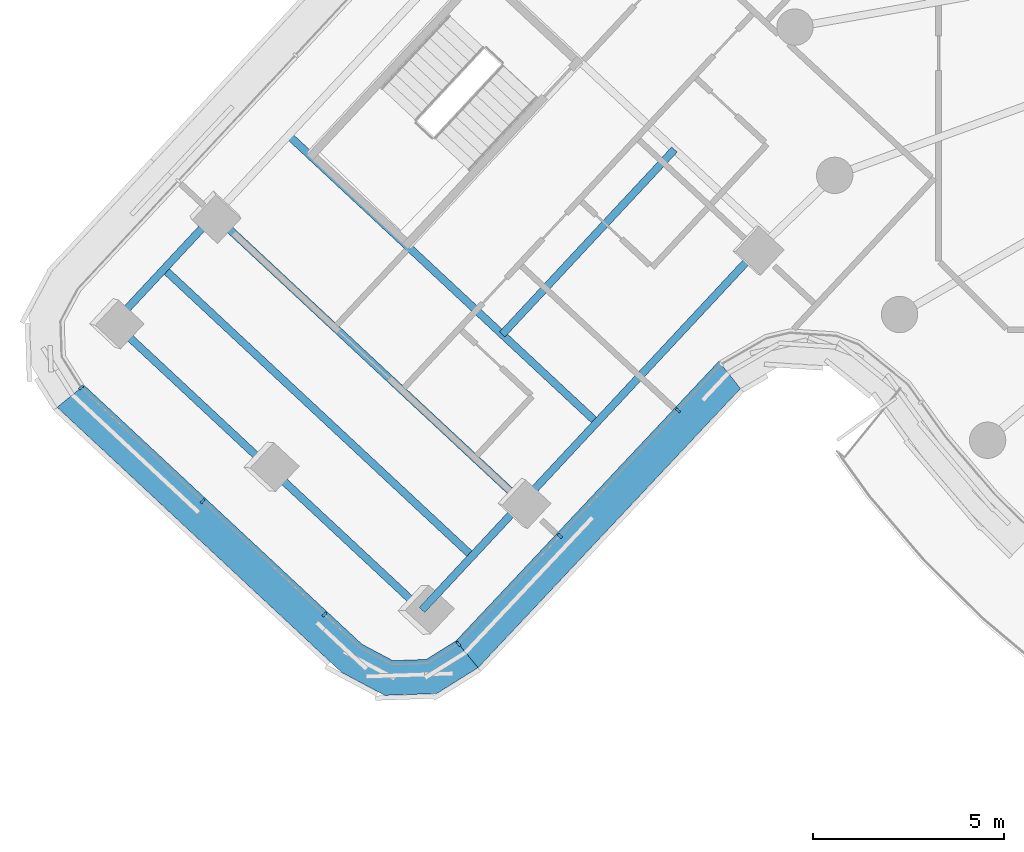
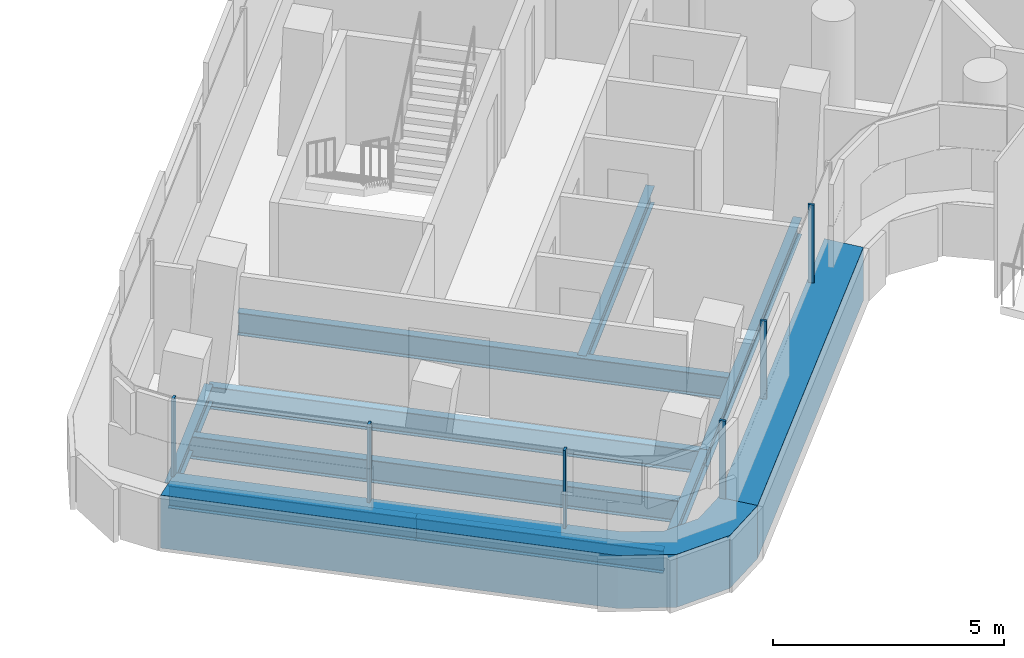
# One storey, part 2 of 30: 9 beams, 8 members, 2 elements without a shape of their own.
"""IFC4 building model written with IfcOpenShell, lengths in metres."""

import ifcopenshell
import ifcopenshell.guid

model = None  # the IFC model being written
_history = None  # IfcOwnerHistory: only IFC2X3 demands one
_inside = {}  # id of a spatial element -> (the spatial element, [elements in it])
_under = {}  # id of a project, library or spatial element -> (it, [spatial elements below it])
_declared = {}  # id of a project -> (the project, [libraries it declares])
_typed = {}  # id of a type object -> (the type object, [elements of that type])
_made_of = {}  # id of a material, layer set ... -> (it, [elements and type objects made of it])


def new_model(schema):
    """Start an empty IFC model of exactly this schema.

    Asked for "IFC4X3", IfcOpenShell would pick the latest addendum, in which some entities
    have other attributes; the version numbers below select the first issue.
    IFC2X3 requires an IfcOwnerHistory on every rooted entity: one is made here for all.
    """
    global model, _history
    if schema == "IFC4X3":
        model = ifcopenshell.file(schema_version=(4, 3, 0, 0))
    else:
        model = ifcopenshell.file(schema=schema)
    _inside.clear()
    _under.clear()
    _declared.clear()
    _typed.clear()
    _made_of.clear()
    _history = None
    if model.schema == "IFC2X3":
        org = make("IfcOrganization", Name="unknown")
        user = make(
            "IfcPersonAndOrganization",
            ThePerson=make("IfcPerson", FamilyName="unknown"),
            TheOrganization=org,
        )
        app = make(
            "IfcApplication",
            ApplicationDeveloper=org,
            Version="unknown",
            ApplicationFullName="unknown",
            ApplicationIdentifier="unknown",
        )
        _history = make(
            "IfcOwnerHistory",
            OwningUser=user,
            OwningApplication=app,
            ChangeAction="ADDED",
            CreationDate=0,
        )
    return model


def make(cls, **values):
    """One entity of the class cls with the attributes given. An attribute that is None is left unset."""
    return model.create_entity(
        cls, **{name: value for name, value in values.items() if value is not None}
    )


def rooted(cls, **values):
    """An entity with a GlobalId (a new one), such as an element, a storey or a relation."""
    return make(cls, GlobalId=ifcopenshell.guid.new(), OwnerHistory=_history, **values)


def si_unit(unit_type, name, prefix=None):
    """IfcSIUnit, for example si_unit("LENGTHUNIT", "METRE", prefix="MILLI")."""
    return make("IfcSIUnit", UnitType=unit_type, Prefix=prefix, Name=name)


def assignment(units):
    """IfcUnitAssignment: the units of a project."""
    return None if units is None else make("IfcUnitAssignment", Units=units)


def point(xyz):
    """IfcCartesianPoint."""
    return None if xyz is None else make("IfcCartesianPoint", Coordinates=xyz)


def direction(xyz):
    """IfcDirection."""
    return None if xyz is None else make("IfcDirection", DirectionRatios=xyz)


def frame(location, z_axis=None, x_axis=None):
    """IfcAxis2Placement3D, a coordinate frame: its origin and axes. An axis left out is left unset."""
    return make(
        "IfcAxis2Placement3D",
        Location=point(location),
        Axis=direction(z_axis),
        RefDirection=direction(x_axis),
    )


def frame_2d(location, x_axis=None):
    """IfcAxis2Placement2D, a coordinate frame in the plane: its origin and x axis."""
    return make(
        "IfcAxis2Placement2D", Location=point(location), RefDirection=direction(x_axis)
    )


def origin():
    """The frame at (0, 0, 0) with its axes left unset."""
    return frame((0.0, 0.0, 0.0))


def origin_2d():
    """The frame at (0, 0) in the plane with its x axis left unset."""
    return frame_2d((0.0, 0.0))


def place(relative_to, where):
    """IfcLocalPlacement: puts the frame where relative to a parent placement (None: the world)."""
    return make(
        "IfcLocalPlacement", PlacementRelTo=relative_to, RelativePlacement=where
    )


def context(
    kind, dimensions, precision=None, world=None, true_north=None, identifier=None
):
    """IfcGeometricRepresentationContext, for example the 3D "Model" context."""
    return make(
        "IfcGeometricRepresentationContext",
        ContextIdentifier=identifier,
        ContextType=kind,
        CoordinateSpaceDimension=dimensions,
        Precision=precision,
        WorldCoordinateSystem=world,
        TrueNorth=true_north,
    )


def subcontext(parent, identifier, kind, view, scale=None):
    """IfcGeometricRepresentationSubContext, for example "Body" below "Model"."""
    return make(
        "IfcGeometricRepresentationSubContext",
        ContextIdentifier=identifier,
        ContextType=kind,
        ParentContext=parent,
        TargetScale=scale,
        TargetView=view,
    )


def project(units=None, contexts=None):
    """IfcProject with its units and contexts."""
    return rooted(
        "IfcProject",
        Name="project",
        RepresentationContexts=contexts,
        UnitsInContext=assignment(units),
    )


def spatial(cls, under=None, at=None, **own):
    """A site, building, storey or space (cls), placed at a placement, below another one or the project."""
    s = rooted(cls, ObjectPlacement=at, **own)
    if under is not None:
        _under.setdefault(under.id(), (under, []))[1].append(s)
    return s


def polyline(points):
    """IfcPolyline through the points."""
    return make("IfcPolyline", Points=[point(p) for p in points])


def profile(cls, at=None, kind="AREA", **sizes):
    """A parametric profile (cls). Its sizes go by their IFC names, for example OverallWidth=200.0."""
    return make(cls, ProfileType=kind, Position=at, **sizes)


def rectangle(**sizes):
    """IfcRectangleProfileDef."""
    return profile("IfcRectangleProfileDef", **sizes)


def i_section(**sizes):
    """IfcIShapeProfileDef."""
    return profile("IfcIShapeProfileDef", **sizes)


def outline(outer, holes=None, kind="AREA"):
    """IfcArbitraryClosedProfileDef: a profile drawn as a closed curve; with holes, ...WithVoids."""
    if holes is None:
        return make("IfcArbitraryClosedProfileDef", ProfileType=kind, OuterCurve=outer)
    return make(
        "IfcArbitraryProfileDefWithVoids",
        ProfileType=kind,
        OuterCurve=outer,
        InnerCurves=holes,
    )


def extrude(swept, where, along, depth):
    """IfcExtrudedAreaSolid: the profile swept, set in the frame where, extruded along a direction by depth."""
    return make(
        "IfcExtrudedAreaSolid",
        SweptArea=swept,
        Position=where,
        ExtrudedDirection=direction(along),
        Depth=depth,
    )


def shape(context_of_items, identifier, shape_type, items):
    """IfcShapeRepresentation: the items that make up one representation, for example the "Body"."""
    return make(
        "IfcShapeRepresentation",
        ContextOfItems=context_of_items,
        RepresentationIdentifier=identifier,
        RepresentationType=shape_type,
        Items=items,
    )


def material(Name=None, Category=None):
    """IfcMaterial."""
    return make("IfcMaterial", Name=Name, Category=Category)


def layer(
    of_material, thickness, ventilated=None, Name=None, Category=None, Priority=None
):
    """IfcMaterialLayer: one layer of a wall or slab, of a material (None: an air gap)."""
    return make(
        "IfcMaterialLayer",
        Material=of_material,
        LayerThickness=thickness,
        IsVentilated=ventilated,
        Name=Name,
        Category=Category,
        Priority=Priority,
    )


def layer_set(layers, Name=None):
    """IfcMaterialLayerSet."""
    return make("IfcMaterialLayerSet", MaterialLayers=layers, LayerSetName=Name)


def material_profile(
    of_material, cross_section, Name=None, Category=None, Priority=None
):
    """IfcMaterialProfile: a cross section and its material."""
    return make(
        "IfcMaterialProfile",
        Name=Name,
        Material=of_material,
        Profile=cross_section,
        Priority=Priority,
        Category=Category,
    )


def profile_set(profiles, Name=None, composite=None):
    """IfcMaterialProfileSet."""
    return make(
        "IfcMaterialProfileSet",
        Name=Name,
        MaterialProfiles=profiles,
        CompositeProfile=composite,
    )


def made_of(thing, what):
    """Note that an element or type object is made of a material, layer set ...; save() writes the relation."""
    if what is not None:
        _made_of.setdefault(what.id(), (what, []))[1].append(thing)
    return thing


def type_object(cls, material=None, **own):
    """A type object (cls), such as IfcWallType, which elements share."""
    return made_of(rooted(cls, **own), material)


def element(
    cls,
    number,
    at=None,
    inside=None,
    cuts=None,
    type_object=None,
    material=None,
    context=None,
    identifier="Body",
    shape_type=None,
    held_by="IfcProductDefinitionShape",
    body=None,
    shapes=None,
    **own,
):
    """One element of the class cls, such as IfcWall. Its Tag is "e" and its number.

    at: its placement. inside: the storey or other place that contains it. cuts: it is an
    opening in that element (IfcRelVoidsElement). A single representation is given by context,
    identifier, shape_type and body (its items); several are given by shapes. held_by: the class
    of the entity that holds the representations. save() writes the other relations.
    """
    e = rooted(cls, Tag="e%d" % number, ObjectPlacement=at, **own)
    if body is not None:
        shapes = [shape(context, identifier, shape_type, body)]
    if shapes is not None:
        e.Representation = make(held_by, Representations=shapes)
    if inside is not None:
        _inside.setdefault(inside.id(), (inside, []))[1].append(e)
    if cuts is not None:
        rooted(
            "IfcRelVoidsElement", RelatingBuildingElement=cuts, RelatedOpeningElement=e
        )
    if type_object is not None:
        _typed.setdefault(type_object.id(), (type_object, []))[1].append(e)
    return made_of(e, material)


def aggregate(whole, parts):
    """IfcRelAggregates: a whole, such as a stair, and the parts it consists of."""
    return rooted("IfcRelAggregates", RelatingObject=whole, RelatedObjects=parts)


def save(model, path):
    """Write the relations noted so far, then the file.

    IfcRelAggregates (storeys below a building ...), IfcRelContainedInSpatialStructure (elements
    in a storey), IfcRelDefinesByType, IfcRelAssociatesMaterial and IfcRelDeclares: one each for
    every whole, place, type object, material and project.
    """
    for whole, parts in _under.values():
        aggregate(whole, parts)
    for where, things in _inside.values():
        rooted(
            "IfcRelContainedInSpatialStructure",
            RelatedElements=things,
            RelatingStructure=where,
        )
    for kind, things in _typed.values():
        rooted("IfcRelDefinesByType", RelatedObjects=things, RelatingType=kind)
    for what, things in _made_of.values():
        rooted("IfcRelAssociatesMaterial", RelatedObjects=things, RelatingMaterial=what)
    for by, libraries in _declared.values():
        rooted("IfcRelDeclares", RelatingContext=by, RelatedDefinitions=libraries)
    model.write(path)


model = new_model("IFC4")

# Units and contexts
model_context = context("Model", 3, precision=1e-05, world=origin(), true_north=direction((0.0, 1.0)))
body_context = subcontext(model_context, "Body", "Model", "MODEL_VIEW")
ifc_project = project(units=[si_unit("LENGTHUNIT", "METRE"), si_unit("AREAUNIT", "SQUARE_METRE"), si_unit("VOLUMEUNIT", "CUBIC_METRE"), si_unit("PLANEANGLEUNIT", "RADIAN"), si_unit("MASSUNIT", "GRAM", prefix="KILO")], contexts=[model_context])

# Site, building, storey
site_placement = place(None, origin())
site = spatial("IfcSite", under=ifc_project, at=site_placement, CompositionType="ELEMENT")
building_placement = place(site_placement, origin())
building = spatial("IfcBuilding", under=site, at=building_placement, Name="Tamarind Cross Interchange Tower", CompositionType="ELEMENT")
storey_placement = place(building_placement, frame((0.0, 0.0, 204.10009765625)))
storey = spatial("IfcBuildingStorey", under=building, at=storey_placement, Name="L51", CompositionType="ELEMENT", Elevation=204.10009765625)

# Beams
ifc_material_1 = material(Name="Steel Q355B", Category="steel")
ifc_material_profile_1 = material_profile(ifc_material_1, i_section(OverallWidth=0.198974609375, OverallDepth=0.446044921875, WebThickness=0.008056640625, FlangeThickness=0.011962890625, FilletRadius=0.012939453125, at=origin_2d()), Name="HN 446x199x8x12")
ifc_profile_set_1 = profile_set([ifc_material_profile_1], Name="Steel Q355B")
beam_type_1 = type_object("IfcBeamType", Name="Composite beam HN 446x199x8x12 Q355B", PredefinedType="BEAM", material=ifc_profile_set_1)
for number, where, z_axis, x_axis, name in (
    (1, (-40.440185546875, -11.71875, -0.363037109375), (0.681779663196, 0.731557578631, 0.0), (-0.731557578631, 0.681779663196, 0.0), "Beam W-edgeem5"),
    (2, (-32.39306640625, -19.218505859375, -0.363037109375), (0.681779663196, 0.731557578631, 0.0), (-0.731557578631, 0.681779663196, 0.0), "Beam W-edgeep2"),
):
    element("IfcBeam", number, at=place(storey_placement, frame(where, z_axis=z_axis, x_axis=x_axis)), inside=storey, type_object=beam_type_1, Name=name, PredefinedType="BEAM", context=body_context, shape_type="SweptSolid", body=[
        extrude(i_section(OverallWidth=0.198974609375, OverallDepth=0.446044921875, WebThickness=0.008056640625, FlangeThickness=0.011962890625, FilletRadius=0.012939453125, at=origin_2d()), origin(), (0.0, 0.0, 1.0), 3.84521484375),
    ])
beam_1_placement = place(storey_placement, frame((-29.771484375, -16.405517578125, -0.363037109375), z_axis=(0.681793246096, 0.731544919726, 0.0), x_axis=(-0.731544919726, 0.681793246096, 0.0)))
element("IfcBeam", 3, at=beam_1_placement, inside=storey, type_object=beam_type_1, Name="Beam W-edgeep3", PredefinedType="BEAM", context=body_context, shape_type="SweptSolid", body=[
    extrude(i_section(OverallWidth=0.198974609375, OverallDepth=0.446044921875, WebThickness=0.008056640625, FlangeThickness=0.011962890625, FilletRadius=0.012939453125, at=origin_2d()), origin(), (0.0, 0.0, 1.0), 8.999755859375),
])
beam_2_placement = place(storey_placement, frame((-25.797607421875, -7.19140625, -0.363037109375), z_axis=(-0.681792195605, -0.731545898773, 0.0), x_axis=(0.731545898773, -0.681792195605, 0.0)))
element("IfcBeam", 4, at=beam_2_placement, inside=storey, type_object=beam_type_1, Name="Beam W-stripp", PredefinedType="BEAM", context=body_context, shape_type="SweptSolid", body=[
    extrude(i_section(OverallWidth=0.198974609375, OverallDepth=0.446044921875, WebThickness=0.008056640625, FlangeThickness=0.011962890625, FilletRadius=0.012939453125, at=origin_2d()), origin(), (0.0, 0.0, 1.0), 6.599853515625),
])
ifc_material_profile_2 = material_profile(ifc_material_1, i_section(OverallWidth=0.198974609375, OverallDepth=0.595947265625, WebThickness=0.010009765625, FlangeThickness=0.014892578125, FilletRadius=0.012939453125, at=origin_2d()), Name="HN 596x199x10x15")
ifc_profile_set_2 = profile_set([ifc_material_profile_2], Name="Steel Q355B")
beam_type_2 = type_object("IfcBeamType", Name="Composite beam HN 596x199x10x15 Q355B", PredefinedType="BEAM", material=ifc_profile_set_2)
beam_3_placement = place(storey_placement, frame((-40.440185546875, -11.71875, -0.43798828125), z_axis=(0.731549588784, -0.681788236295, 0.0), x_axis=(0.681788236295, 0.731549588784, 0.0)))
element("IfcBeam", 5, at=beam_3_placement, inside=storey, type_object=beam_type_2, Name="Beam W-tip0", PredefinedType="BEAM", context=body_context, shape_type="SweptSolid", body=[
    extrude(i_section(OverallWidth=0.198974609375, OverallDepth=0.595947265625, WebThickness=0.010009765625, FlangeThickness=0.014892578125, FilletRadius=0.012939453125, at=origin_2d()), origin(), (0.0, 0.0, 1.0), 5.5),
])
beam_4_placement = place(storey_placement, frame((-36.416748046875, -15.468505859375, -0.43798828125), z_axis=(0.731548082865, -0.681789852121, 0.0), x_axis=(0.681789852121, 0.731548082865, 0.0)))
element("IfcBeam", 6, at=beam_4_placement, inside=storey, type_object=beam_type_2, Name="Beam W-tip1", PredefinedType="BEAM", context=body_context, shape_type="SweptSolid", body=[
    extrude(i_section(OverallWidth=0.198974609375, OverallDepth=0.595947265625, WebThickness=0.010009765625, FlangeThickness=0.014892578125, FilletRadius=0.012939453125, at=origin_2d()), origin(), (0.0, 0.0, 1.0), 5.500244140625),
])
for number, where, z_axis, x_axis, name in (
    (7, (-35.87548828125, -6.821044921875, -0.43798828125), (0.731548835802, -0.681789044234, 0.0), (0.681789044234, 0.731548835802, 0.0), "Beam W-x364"),
    (8, (-37.818603515625, -8.90576171875, -0.43798828125), (0.731548835802, -0.681789044234, 0.0), (0.681789044234, 0.731548835802, 0.0), "Beam W-x393"),
    (9, (-39.12939453125, -10.312255859375, -0.43798828125), (0.731548835802, -0.681789044234, 0.0), (0.681789044234, 0.731548835802, 0.0), "Beam W-x412"),
):
    element("IfcBeam", number, at=place(storey_placement, frame(where, z_axis=z_axis, x_axis=x_axis)), inside=storey, type_object=beam_type_2, Name=name, PredefinedType="BEAM", context=body_context, shape_type="SweptSolid", body=[
        extrude(i_section(OverallWidth=0.198974609375, OverallDepth=0.595947265625, WebThickness=0.010009765625, FlangeThickness=0.014892578125, FilletRadius=0.012939453125, at=origin_2d()), origin(), (0.0, 0.0, 1.0), 11.0),
    ])

# Curtain wall, member
ifc_material_2 = material(Name="Aluminium 6063-T6", Category="aluminium")
ifc_layer = layer(ifc_material_2, 0.139892578125)
ifc_layer_set = layer_set([ifc_layer], Name="Aluminium 6063-T6")
curtain_wall_type = type_object("IfcCurtainWallType", Name="Hotel curtain wall, 4.5 m bays", PredefinedType="NOTDEFINED", material=ifc_layer_set)
curtain_wall_1_placement = place(storey_placement, origin())
curtain_wall_1 = element("IfcCurtainWall", 10, at=curtain_wall_1_placement, inside=storey, type_object=curtain_wall_type, Name="CWS-L51-00", PredefinedType="NOTDEFINED")
ifc_material_3 = material(Name="Aluminium and insulated spandrel panel", Category="aluminium")
member_type_1 = type_object("IfcMemberType", Name="Floor-edge blade transom", PredefinedType="USERDEFINED", material=ifc_material_3)
member_1_placement = place(storey_placement, origin())
member_1 = element("IfcMember", 11, at=member_1_placement, type_object=member_type_1, Name="CWT-L51-00", ObjectType="TRANSOM", PredefinedType="USERDEFINED", context=body_context, shape_type="SweptSolid", body=[
    extrude(outline(polyline([(-41.219970703125, -13.3466796875), (-33.962158203125, -20.11083984375), (-33.15380859375, -20.540283203125), (-32.27978515625, -20.509521484375), (-31.503173828125, -20.02392578125), (-30.92724609375, -20.72509765625), (-32.00732421875, -21.400390625), (-33.36328125, -21.4482421875), (-34.4892578125, -20.849853515625), (-41.920166015625, -13.92431640625), (-41.219970703125, -13.3466796875)])), origin(), (0.0, 0.0, 1.0), 1.39990234375),
])

curtain_wall_2_placement = place(storey_placement, origin())
curtain_wall_2 = element("IfcCurtainWall", 12, at=curtain_wall_2_placement, inside=storey, type_object=curtain_wall_type, Name="CWS-L51-01", PredefinedType="NOTDEFINED")
member_2_placement = place(storey_placement, origin())
member_2 = element("IfcMember", 13, at=member_2_placement, type_object=member_type_1, Name="CWT-L51-01", ObjectType="TRANSOM", PredefinedType="USERDEFINED", context=body_context, shape_type="SweptSolid", body=[
    extrude(outline(polyline([(-31.503173828125, -20.02392578125), (-24.63916015625, -12.72216796875), (-24.07373046875, -13.434814453125), (-30.92724609375, -20.72509765625), (-31.503173828125, -20.02392578125)])), origin(), (0.0, 0.0, 1.0), 1.39990234375),
])

# Member
ifc_material_profile_3 = material_profile(ifc_material_2, rectangle(XDim=0.06005859375, YDim=0.139892578125, at=origin_2d()), Name="Mullion CW2")
ifc_profile_set_3 = profile_set([ifc_material_profile_3], Name="Aluminium 6063-T6")
member_type_2 = type_object("IfcMemberType", Name="Mullion CW2", PredefinedType="MULLION", material=ifc_profile_set_3)
member_3_placement = place(storey_placement, frame((-41.297607421875, -13.410888671875, 1.39990234375), z_axis=(0.0, 0.0, 1.0), x_axis=(0.636293673707, -0.771446926756, 0.0)))
member_3 = element("IfcMember", 14, at=member_3_placement, type_object=member_type_2, Name="CWM-L51-00-00", PredefinedType="MULLION", context=body_context, shape_type="SweptSolid", body=[
    extrude(rectangle(XDim=0.06005859375, YDim=0.139892578125, at=origin_2d()), origin(), (0.0, 0.0, 1.0), 2.06005859375),
])

member_4_placement = place(storey_placement, frame((-38.11865234375, -16.37353515625, 1.39990234375), z_axis=(0.0, 0.0, 1.0), x_axis=(0.73154412297, -0.681794100992, 0.0)))
member_4 = element("IfcMember", 15, at=member_4_placement, type_object=member_type_2, Name="CWM-L51-00-01", PredefinedType="MULLION", context=body_context, shape_type="SweptSolid", body=[
    extrude(rectangle(XDim=0.06005859375, YDim=0.139892578125, at=origin_2d()), origin(), (0.0, 0.0, 1.0), 2.06005859375),
])

member_5_placement = place(storey_placement, frame((-34.939697265625, -19.33642578125, 1.39990234375), z_axis=(0.0, 0.0, 1.0), x_axis=(0.73154412297, -0.681794100992, 0.0)))
member_5 = element("IfcMember", 16, at=member_5_placement, type_object=member_type_2, Name="CWM-L51-00-02", PredefinedType="MULLION", context=body_context, shape_type="SweptSolid", body=[
    extrude(rectangle(XDim=0.06005859375, YDim=0.139892578125, at=origin_2d()), origin(), (0.0, 0.0, 1.0), 2.06005859375),
])

aggregate(curtain_wall_1, [member_3, member_4, member_5, member_1])

member_6_placement = place(storey_placement, frame((-31.439208984375, -20.101806640625, 1.39990234375), z_axis=(0.0, 0.0, 1.0), x_axis=(0.772811788684, 0.634635280512, 0.0)))
member_6 = element("IfcMember", 17, at=member_6_placement, type_object=member_type_2, Name="CWM-L51-01-00", PredefinedType="MULLION", context=body_context, shape_type="SweptSolid", body=[
    extrude(rectangle(XDim=0.06005859375, YDim=0.139892578125, at=origin_2d()), origin(), (0.0, 0.0, 1.0), 2.06005859375),
])

member_7_placement = place(storey_placement, frame((-28.789306640625, -17.282958984375, 1.39990234375), z_axis=(0.0, 0.0, 1.0), x_axis=(0.684930246732, 0.728608644687, 0.0)))
member_7 = element("IfcMember", 18, at=member_7_placement, type_object=member_type_2, Name="CWM-L51-01-01", PredefinedType="MULLION", context=body_context, shape_type="SweptSolid", body=[
    extrude(rectangle(XDim=0.06005859375, YDim=0.139892578125, at=origin_2d()), origin(), (0.0, 0.0, 1.0), 2.06005859375),
])

member_8_placement = place(storey_placement, frame((-25.7060546875, -14.0029296875, 1.39990234375), z_axis=(0.0, 0.0, 1.0), x_axis=(0.684930246732, 0.728608644687, 0.0)))
member_8 = element("IfcMember", 19, at=member_8_placement, type_object=member_type_2, Name="CWM-L51-01-02", PredefinedType="MULLION", context=body_context, shape_type="SweptSolid", body=[
    extrude(rectangle(XDim=0.06005859375, YDim=0.139892578125, at=origin_2d()), origin(), (0.0, 0.0, 1.0), 2.06005859375),
])

aggregate(curtain_wall_2, [member_6, member_7, member_8, member_2])

save(model, "model.ifc")
